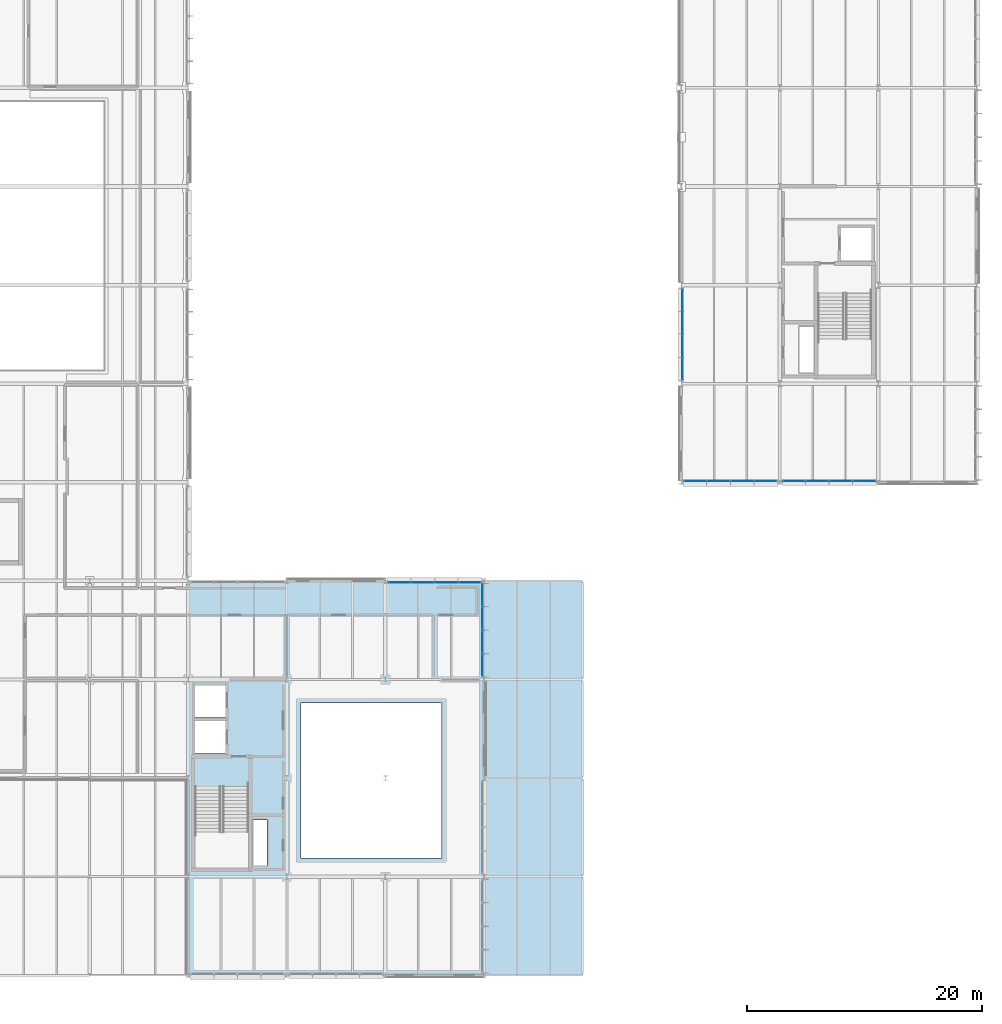
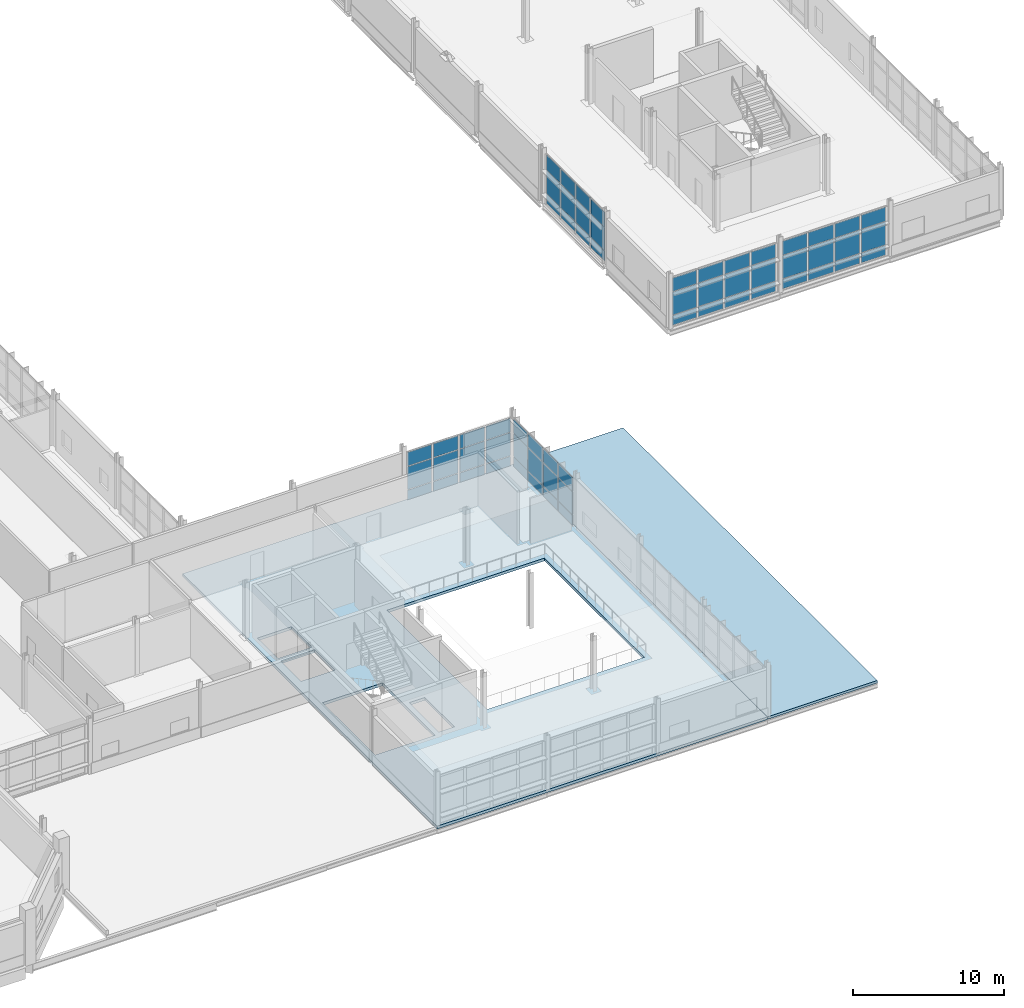
# One storey, part 89 of 129: 60 plates, 2 slabs, 5 elements without a shape of their own.
"""IFC4 building model written with IfcOpenShell, lengths in metres."""

from ifc_helpers import new_model, si_unit, direction, frame, origin, origin_2d, place, context, subcontext, project, spatial, polyline, rectangle, outline, extrude, material, layer, layer_set, type_object, element, aggregate, save


model = new_model("IFC4")

# Units and contexts
model_context = context("Model", 3, precision=1e-05, world=origin(), true_north=direction((0.0, 1.0)))
body_context = subcontext(model_context, "Body", "Model", "MODEL_VIEW")
ifc_project = project(units=[si_unit("LENGTHUNIT", "METRE"), si_unit("AREAUNIT", "SQUARE_METRE"), si_unit("VOLUMEUNIT", "CUBIC_METRE"), si_unit("PLANEANGLEUNIT", "RADIAN"), si_unit("MASSUNIT", "GRAM", prefix="KILO")], contexts=[model_context])

# Site, building, storey
site_placement = place(None, origin())
site = spatial("IfcSite", under=ifc_project, at=site_placement, CompositionType="ELEMENT")
building_placement = place(site_placement, origin())
building = spatial("IfcBuilding", under=site, at=building_placement, Name="Mersafa Astral City Hall", CompositionType="ELEMENT")
storey_placement = place(building_placement, frame((0.0, 0.0, 5.39990234375)))
storey = spatial("IfcBuildingStorey", under=building, at=storey_placement, Name="L01", CompositionType="ELEMENT", Elevation=5.39990234375)

# Curtain wall, plates
ifc_material_1 = material(Name="Anodised bronze aluminium framing", Category="aluminium")
curtain_wall_type_1 = type_object("IfcCurtainWallType", Name="ENV-CW-3", PredefinedType="USERDEFINED", material=ifc_material_1)
curtain_wall_1_placement = place(storey_placement, origin())
curtain_wall_1 = element("IfcCurtainWall", 1, at=curtain_wall_1_placement, inside=storey, type_object=curtain_wall_type_1, Name="L01 Unitised solar curtain wall 68", ObjectType="UNITISED CURTAIN WALL", PredefinedType="USERDEFINED")
ifc_material_2 = material(Name="Solar control low-e double glazing", Category="glass")
ifc_layer_1 = layer(ifc_material_2, 0.028076171875, Name="Solar control low-e double glazing")
ifc_layer_set_1 = layer_set([ifc_layer_1], Name="Solar control low-e double glazing — ENV-CW-PNL-GLZ-1")
plate_type_1 = type_object("IfcPlateType", Name="ENV-CW-PNL-GLZ-1", PredefinedType="CURTAIN_PANEL", material=ifc_layer_set_1)
plate_1_placement = place(storey_placement, frame((160.801513671875, 42.1201171875, 0.05810546875), z_axis=(0.0, 0.0, 1.0), x_axis=(1.0, 0.0, 0.0)))
plate_1 = element("IfcPlate", 2, at=plate_1_placement, type_object=plate_type_1, Name="CW-3 panel 1.1", PredefinedType="CURTAIN_PANEL", context=body_context, shape_type="SweptSolid", body=[
    extrude(rectangle(XDim=1.839111328125, YDim=0.028076171875, at=origin_2d()), origin(), (0.0, 0.0, 1.0), 0.761962890625),
])
plate_2_placement = place(storey_placement, frame((160.801513671875, 42.1201171875, 0.8798828125), z_axis=(0.0, 0.0, 1.0), x_axis=(1.0, 0.0, 0.0)))
plate_2 = element("IfcPlate", 3, at=plate_2_placement, type_object=plate_type_1, Name="CW-3 panel 1.2", PredefinedType="CURTAIN_PANEL", context=body_context, shape_type="SweptSolid", body=[
    extrude(rectangle(XDim=1.839111328125, YDim=0.028076171875, at=origin_2d()), origin(), (0.0, 0.0, 1.0), 1.840087890625),
])
plate_3_placement = place(storey_placement, frame((160.801513671875, 42.1201171875, 2.7802734375), z_axis=(0.0, 0.0, 1.0), x_axis=(1.0, 0.0, 0.0)))
plate_3 = element("IfcPlate", 4, at=plate_3_placement, type_object=plate_type_1, Name="CW-3 panel 1.3", PredefinedType="CURTAIN_PANEL", context=body_context, shape_type="SweptSolid", body=[
    extrude(rectangle(XDim=1.839111328125, YDim=0.028076171875, at=origin_2d()), origin(), (0.0, 0.0, 1.0), 1.096923828125),
])
plate_4_placement = place(storey_placement, frame((162.79052734375, 42.1201171875, 0.05810546875), z_axis=(0.0, 0.0, 1.0), x_axis=(1.0, 0.0, 0.0)))
plate_4 = element("IfcPlate", 5, at=plate_4_placement, type_object=plate_type_1, Name="CW-3 panel 2.1", PredefinedType="CURTAIN_PANEL", context=body_context, shape_type="SweptSolid", body=[
    extrude(rectangle(XDim=1.89892578125, YDim=0.028076171875, at=origin_2d()), origin(), (0.0, 0.0, 1.0), 0.761962890625),
])
plate_5_placement = place(storey_placement, frame((162.79052734375, 42.1201171875, 0.8798828125), z_axis=(0.0, 0.0, 1.0), x_axis=(1.0, 0.0, 0.0)))
plate_5 = element("IfcPlate", 6, at=plate_5_placement, type_object=plate_type_1, Name="CW-3 panel 2.2", PredefinedType="CURTAIN_PANEL", context=body_context, shape_type="SweptSolid", body=[
    extrude(rectangle(XDim=1.89892578125, YDim=0.028076171875, at=origin_2d()), origin(), (0.0, 0.0, 1.0), 1.840087890625),
])
plate_6_placement = place(storey_placement, frame((162.79052734375, 42.1201171875, 2.7802734375), z_axis=(0.0, 0.0, 1.0), x_axis=(1.0, 0.0, 0.0)))
plate_6 = element("IfcPlate", 7, at=plate_6_placement, type_object=plate_type_1, Name="CW-3 panel 2.3", PredefinedType="CURTAIN_PANEL", context=body_context, shape_type="SweptSolid", body=[
    extrude(rectangle(XDim=1.89892578125, YDim=0.028076171875, at=origin_2d()), origin(), (0.0, 0.0, 1.0), 1.096923828125),
])
plate_7_placement = place(storey_placement, frame((164.8095703125, 42.1201171875, 0.05810546875), z_axis=(0.0, 0.0, 1.0), x_axis=(1.0, 0.0, 0.0)))
plate_7 = element("IfcPlate", 8, at=plate_7_placement, type_object=plate_type_1, Name="CW-3 panel 3.1", PredefinedType="CURTAIN_PANEL", context=body_context, shape_type="SweptSolid", body=[
    extrude(rectangle(XDim=1.89892578125, YDim=0.028076171875, at=origin_2d()), origin(), (0.0, 0.0, 1.0), 0.761962890625),
])
plate_8_placement = place(storey_placement, frame((164.8095703125, 42.1201171875, 0.8798828125), z_axis=(0.0, 0.0, 1.0), x_axis=(1.0, 0.0, 0.0)))
plate_8 = element("IfcPlate", 9, at=plate_8_placement, type_object=plate_type_1, Name="CW-3 panel 3.2", PredefinedType="CURTAIN_PANEL", context=body_context, shape_type="SweptSolid", body=[
    extrude(rectangle(XDim=1.89892578125, YDim=0.028076171875, at=origin_2d()), origin(), (0.0, 0.0, 1.0), 1.840087890625),
])
plate_9_placement = place(storey_placement, frame((164.8095703125, 42.1201171875, 2.7802734375), z_axis=(0.0, 0.0, 1.0), x_axis=(1.0, 0.0, 0.0)))
plate_9 = element("IfcPlate", 10, at=plate_9_placement, type_object=plate_type_1, Name="CW-3 panel 3.3", PredefinedType="CURTAIN_PANEL", context=body_context, shape_type="SweptSolid", body=[
    extrude(rectangle(XDim=1.89892578125, YDim=0.028076171875, at=origin_2d()), origin(), (0.0, 0.0, 1.0), 1.096923828125),
])
plate_10_placement = place(storey_placement, frame((166.798583984375, 42.1201171875, 0.05810546875), z_axis=(0.0, 0.0, 1.0), x_axis=(1.0, 0.0, 0.0)))
plate_10 = element("IfcPlate", 11, at=plate_10_placement, type_object=plate_type_1, Name="CW-3 panel 4.1", PredefinedType="CURTAIN_PANEL", context=body_context, shape_type="SweptSolid", body=[
    extrude(rectangle(XDim=1.839111328125, YDim=0.028076171875, at=origin_2d()), origin(), (0.0, 0.0, 1.0), 0.761962890625),
])
plate_11_placement = place(storey_placement, frame((166.798583984375, 42.1201171875, 0.8798828125), z_axis=(0.0, 0.0, 1.0), x_axis=(1.0, 0.0, 0.0)))
plate_11 = element("IfcPlate", 12, at=plate_11_placement, type_object=plate_type_1, Name="CW-3 panel 4.2", PredefinedType="CURTAIN_PANEL", context=body_context, shape_type="SweptSolid", body=[
    extrude(rectangle(XDim=1.839111328125, YDim=0.028076171875, at=origin_2d()), origin(), (0.0, 0.0, 1.0), 1.840087890625),
])
plate_12_placement = place(storey_placement, frame((166.798583984375, 42.1201171875, 2.7802734375), z_axis=(0.0, 0.0, 1.0), x_axis=(1.0, 0.0, 0.0)))
plate_12 = element("IfcPlate", 13, at=plate_12_placement, type_object=plate_type_1, Name="CW-3 panel 4.3", PredefinedType="CURTAIN_PANEL", context=body_context, shape_type="SweptSolid", body=[
    extrude(rectangle(XDim=1.839111328125, YDim=0.028076171875, at=origin_2d()), origin(), (0.0, 0.0, 1.0), 1.096923828125),
])
aggregate(curtain_wall_1, [plate_1, plate_2, plate_3, plate_4, plate_5, plate_6, plate_7, plate_8, plate_9, plate_10, plate_11, plate_12])

curtain_wall_type_2 = type_object("IfcCurtainWallType", Name="ENV-CW-4", PredefinedType="USERDEFINED", material=ifc_material_1)
curtain_wall_2_placement = place(storey_placement, origin())
curtain_wall_2 = element("IfcCurtainWall", 14, at=curtain_wall_2_placement, inside=storey, type_object=curtain_wall_type_2, Name="L01 Unitised solar curtain wall 69", ObjectType="UNITISED CURTAIN WALL", PredefinedType="USERDEFINED")
ifc_layer_2 = layer(ifc_material_2, 0.031982421875, Name="Solar control low-e double glazing")
ifc_layer_set_2 = layer_set([ifc_layer_2], Name="Solar control low-e double glazing — ENV-CW-PNL-GLZ-2")
plate_type_2 = type_object("IfcPlateType", Name="ENV-CW-PNL-GLZ-2", PredefinedType="CURTAIN_PANEL", material=ifc_layer_set_2)
plate_13_placement = place(storey_placement, frame((169.201416015625, 42.1201171875, 0.05810546875), z_axis=(0.0, 0.0, 1.0), x_axis=(1.0, 0.0, 0.0)))
plate_13 = element("IfcPlate", 15, at=plate_13_placement, type_object=plate_type_2, Name="CW-4 panel 1.1", PredefinedType="CURTAIN_PANEL", context=body_context, shape_type="SweptSolid", body=[
    extrude(rectangle(XDim=1.839111328125, YDim=0.031982421875, at=origin_2d()), origin(), (0.0, 0.0, 1.0), 0.761962890625),
])
plate_14_placement = place(storey_placement, frame((169.201416015625, 42.1201171875, 0.8798828125), z_axis=(0.0, 0.0, 1.0), x_axis=(1.0, 0.0, 0.0)))
plate_14 = element("IfcPlate", 16, at=plate_14_placement, type_object=plate_type_2, Name="CW-4 panel 1.2", PredefinedType="CURTAIN_PANEL", context=body_context, shape_type="SweptSolid", body=[
    extrude(rectangle(XDim=1.839111328125, YDim=0.031982421875, at=origin_2d()), origin(), (0.0, 0.0, 1.0), 1.840087890625),
])
plate_15_placement = place(storey_placement, frame((169.201416015625, 42.1201171875, 2.780029296875), z_axis=(0.0, 0.0, 1.0), x_axis=(1.0, 0.0, 0.0)))
plate_15 = element("IfcPlate", 17, at=plate_15_placement, type_object=plate_type_2, Name="CW-4 panel 1.3", PredefinedType="CURTAIN_PANEL", context=body_context, shape_type="SweptSolid", body=[
    extrude(rectangle(XDim=1.839111328125, YDim=0.031982421875, at=origin_2d()), origin(), (0.0, 0.0, 1.0), 1.126953125),
])
plate_16_placement = place(storey_placement, frame((171.1904296875, 42.1201171875, 0.05810546875), z_axis=(0.0, 0.0, 1.0), x_axis=(1.0, 0.0, 0.0)))
plate_16 = element("IfcPlate", 18, at=plate_16_placement, type_object=plate_type_2, Name="CW-4 panel 2.1", PredefinedType="CURTAIN_PANEL", context=body_context, shape_type="SweptSolid", body=[
    extrude(rectangle(XDim=1.89892578125, YDim=0.031982421875, at=origin_2d()), origin(), (0.0, 0.0, 1.0), 0.761962890625),
])
plate_17_placement = place(storey_placement, frame((171.1904296875, 42.1201171875, 0.8798828125), z_axis=(0.0, 0.0, 1.0), x_axis=(1.0, 0.0, 0.0)))
plate_17 = element("IfcPlate", 19, at=plate_17_placement, type_object=plate_type_2, Name="CW-4 panel 2.2", PredefinedType="CURTAIN_PANEL", context=body_context, shape_type="SweptSolid", body=[
    extrude(rectangle(XDim=1.89892578125, YDim=0.031982421875, at=origin_2d()), origin(), (0.0, 0.0, 1.0), 1.840087890625),
])
plate_18_placement = place(storey_placement, frame((171.1904296875, 42.1201171875, 2.780029296875), z_axis=(0.0, 0.0, 1.0), x_axis=(1.0, 0.0, 0.0)))
plate_18 = element("IfcPlate", 20, at=plate_18_placement, type_object=plate_type_2, Name="CW-4 panel 2.3", PredefinedType="CURTAIN_PANEL", context=body_context, shape_type="SweptSolid", body=[
    extrude(rectangle(XDim=1.89892578125, YDim=0.031982421875, at=origin_2d()), origin(), (0.0, 0.0, 1.0), 1.126953125),
])
plate_19_placement = place(storey_placement, frame((173.20947265625, 42.1201171875, 0.05810546875), z_axis=(0.0, 0.0, 1.0), x_axis=(1.0, 0.0, 0.0)))
plate_19 = element("IfcPlate", 21, at=plate_19_placement, type_object=plate_type_2, Name="CW-4 panel 3.1", PredefinedType="CURTAIN_PANEL", context=body_context, shape_type="SweptSolid", body=[
    extrude(rectangle(XDim=1.89892578125, YDim=0.031982421875, at=origin_2d()), origin(), (0.0, 0.0, 1.0), 0.761962890625),
])
plate_20_placement = place(storey_placement, frame((173.20947265625, 42.1201171875, 0.8798828125), z_axis=(0.0, 0.0, 1.0), x_axis=(1.0, 0.0, 0.0)))
plate_20 = element("IfcPlate", 22, at=plate_20_placement, type_object=plate_type_2, Name="CW-4 panel 3.2", PredefinedType="CURTAIN_PANEL", context=body_context, shape_type="SweptSolid", body=[
    extrude(rectangle(XDim=1.89892578125, YDim=0.031982421875, at=origin_2d()), origin(), (0.0, 0.0, 1.0), 1.840087890625),
])
plate_21_placement = place(storey_placement, frame((173.20947265625, 42.1201171875, 2.780029296875), z_axis=(0.0, 0.0, 1.0), x_axis=(1.0, 0.0, 0.0)))
plate_21 = element("IfcPlate", 23, at=plate_21_placement, type_object=plate_type_2, Name="CW-4 panel 3.3", PredefinedType="CURTAIN_PANEL", context=body_context, shape_type="SweptSolid", body=[
    extrude(rectangle(XDim=1.89892578125, YDim=0.031982421875, at=origin_2d()), origin(), (0.0, 0.0, 1.0), 1.126953125),
])
plate_22_placement = place(storey_placement, frame((175.198486328125, 42.1201171875, 0.05810546875), z_axis=(0.0, 0.0, 1.0), x_axis=(1.0, 0.0, 0.0)))
plate_22 = element("IfcPlate", 24, at=plate_22_placement, type_object=plate_type_2, Name="CW-4 panel 4.1", PredefinedType="CURTAIN_PANEL", context=body_context, shape_type="SweptSolid", body=[
    extrude(rectangle(XDim=1.839111328125, YDim=0.031982421875, at=origin_2d()), origin(), (0.0, 0.0, 1.0), 0.761962890625),
])
plate_23_placement = place(storey_placement, frame((175.198486328125, 42.1201171875, 0.8798828125), z_axis=(0.0, 0.0, 1.0), x_axis=(1.0, 0.0, 0.0)))
plate_23 = element("IfcPlate", 25, at=plate_23_placement, type_object=plate_type_2, Name="CW-4 panel 4.2", PredefinedType="CURTAIN_PANEL", context=body_context, shape_type="SweptSolid", body=[
    extrude(rectangle(XDim=1.839111328125, YDim=0.031982421875, at=origin_2d()), origin(), (0.0, 0.0, 1.0), 1.840087890625),
])
plate_24_placement = place(storey_placement, frame((175.198486328125, 42.1201171875, 2.780029296875), z_axis=(0.0, 0.0, 1.0), x_axis=(1.0, 0.0, 0.0)))
plate_24 = element("IfcPlate", 26, at=plate_24_placement, type_object=plate_type_2, Name="CW-4 panel 4.3", PredefinedType="CURTAIN_PANEL", context=body_context, shape_type="SweptSolid", body=[
    extrude(rectangle(XDim=1.839111328125, YDim=0.031982421875, at=origin_2d()), origin(), (0.0, 0.0, 1.0), 1.126953125),
])
aggregate(curtain_wall_2, [plate_13, plate_14, plate_15, plate_16, plate_17, plate_18, plate_19, plate_20, plate_21, plate_22, plate_23, plate_24])

curtain_wall_3_placement = place(storey_placement, origin())
curtain_wall_3 = element("IfcCurtainWall", 27, at=curtain_wall_3_placement, inside=storey, type_object=curtain_wall_type_1, Name="L01 Unitised solar curtain wall 50", ObjectType="UNITISED CURTAIN WALL", PredefinedType="USERDEFINED")
ifc_layer_3 = layer(ifc_material_2, 0.035888671875, Name="Solar control low-e double glazing")
ifc_layer_set_3 = layer_set([ifc_layer_3], Name="Solar control low-e double glazing — ENV-CW-PNL-GLZ-3")
plate_type_3 = type_object("IfcPlateType", Name="ENV-CW-PNL-GLZ-3", PredefinedType="CURTAIN_PANEL", material=ifc_layer_set_3)
plate_25_placement = place(storey_placement, frame((142.679931640625, 26.42529296875, 0.05810546875), z_axis=(0.0, 0.0, 1.0), x_axis=(0.0, 1.0, 0.0)))
plate_25 = element("IfcPlate", 28, at=plate_25_placement, type_object=plate_type_3, Name="CW-3 panel 1.1", PredefinedType="CURTAIN_PANEL", context=body_context, shape_type="SweptSolid", body=[
    extrude(rectangle(XDim=1.826416015625, YDim=0.035888671875, at=origin_2d()), origin(), (0.0, 0.0, 1.0), 0.761962890625),
])
plate_26_placement = place(storey_placement, frame((142.679931640625, 26.42529296875, 0.8798828125), z_axis=(0.0, 0.0, 1.0), x_axis=(0.0, 1.0, 0.0)))
plate_26 = element("IfcPlate", 29, at=plate_26_placement, type_object=plate_type_3, Name="CW-3 panel 1.2", PredefinedType="CURTAIN_PANEL", context=body_context, shape_type="SweptSolid", body=[
    extrude(rectangle(XDim=1.826416015625, YDim=0.035888671875, at=origin_2d()), origin(), (0.0, 0.0, 1.0), 1.840087890625),
])
plate_27_placement = place(storey_placement, frame((142.679931640625, 26.42529296875, 2.7802734375), z_axis=(0.0, 0.0, 1.0), x_axis=(0.0, 1.0, 0.0)))
plate_27 = element("IfcPlate", 30, at=plate_27_placement, type_object=plate_type_3, Name="CW-3 panel 1.3", PredefinedType="CURTAIN_PANEL", context=body_context, shape_type="SweptSolid", body=[
    extrude(rectangle(XDim=1.826416015625, YDim=0.035888671875, at=origin_2d()), origin(), (0.0, 0.0, 1.0), 1.096923828125),
])
plate_28_placement = place(storey_placement, frame((142.679931640625, 28.40185546875, 0.05810546875), z_axis=(0.0, 0.0, 1.0), x_axis=(0.0, 1.0, 0.0)))
plate_28 = element("IfcPlate", 31, at=plate_28_placement, type_object=plate_type_3, Name="CW-3 panel 2.1", PredefinedType="CURTAIN_PANEL", context=body_context, shape_type="SweptSolid", body=[
    extrude(rectangle(XDim=1.886474609375, YDim=0.035888671875, at=origin_2d()), origin(), (0.0, 0.0, 1.0), 0.761962890625),
])
plate_29_placement = place(storey_placement, frame((142.679931640625, 28.40185546875, 0.8798828125), z_axis=(0.0, 0.0, 1.0), x_axis=(0.0, 1.0, 0.0)))
plate_29 = element("IfcPlate", 32, at=plate_29_placement, type_object=plate_type_3, Name="CW-3 panel 2.2", PredefinedType="CURTAIN_PANEL", context=body_context, shape_type="SweptSolid", body=[
    extrude(rectangle(XDim=1.886474609375, YDim=0.035888671875, at=origin_2d()), origin(), (0.0, 0.0, 1.0), 1.840087890625),
])
plate_30_placement = place(storey_placement, frame((142.679931640625, 28.40185546875, 2.7802734375), z_axis=(0.0, 0.0, 1.0), x_axis=(0.0, 1.0, 0.0)))
plate_30 = element("IfcPlate", 33, at=plate_30_placement, type_object=plate_type_3, Name="CW-3 panel 2.3", PredefinedType="CURTAIN_PANEL", context=body_context, shape_type="SweptSolid", body=[
    extrude(rectangle(XDim=1.886474609375, YDim=0.035888671875, at=origin_2d()), origin(), (0.0, 0.0, 1.0), 1.096923828125),
])
plate_31_placement = place(storey_placement, frame((142.679931640625, 30.408203125, 0.05810546875), z_axis=(0.0, 0.0, 1.0), x_axis=(0.0, 1.0, 0.0)))
plate_31 = element("IfcPlate", 34, at=plate_31_placement, type_object=plate_type_3, Name="CW-3 panel 3.1", PredefinedType="CURTAIN_PANEL", context=body_context, shape_type="SweptSolid", body=[
    extrude(rectangle(XDim=1.886474609375, YDim=0.035888671875, at=origin_2d()), origin(), (0.0, 0.0, 1.0), 0.761962890625),
])
plate_32_placement = place(storey_placement, frame((142.679931640625, 30.408203125, 0.8798828125), z_axis=(0.0, 0.0, 1.0), x_axis=(0.0, 1.0, 0.0)))
plate_32 = element("IfcPlate", 35, at=plate_32_placement, type_object=plate_type_3, Name="CW-3 panel 3.2", PredefinedType="CURTAIN_PANEL", context=body_context, shape_type="SweptSolid", body=[
    extrude(rectangle(XDim=1.886474609375, YDim=0.035888671875, at=origin_2d()), origin(), (0.0, 0.0, 1.0), 1.840087890625),
])
plate_33_placement = place(storey_placement, frame((142.679931640625, 30.408203125, 2.7802734375), z_axis=(0.0, 0.0, 1.0), x_axis=(0.0, 1.0, 0.0)))
plate_33 = element("IfcPlate", 36, at=plate_33_placement, type_object=plate_type_3, Name="CW-3 panel 3.3", PredefinedType="CURTAIN_PANEL", context=body_context, shape_type="SweptSolid", body=[
    extrude(rectangle(XDim=1.886474609375, YDim=0.035888671875, at=origin_2d()), origin(), (0.0, 0.0, 1.0), 1.096923828125),
])
plate_34_placement = place(storey_placement, frame((142.679931640625, 32.384765625, 0.05810546875), z_axis=(0.0, 0.0, 1.0), x_axis=(0.0, 1.0, 0.0)))
plate_34 = element("IfcPlate", 37, at=plate_34_placement, type_object=plate_type_3, Name="CW-3 panel 4.1", PredefinedType="CURTAIN_PANEL", context=body_context, shape_type="SweptSolid", body=[
    extrude(rectangle(XDim=1.826416015625, YDim=0.035888671875, at=origin_2d()), origin(), (0.0, 0.0, 1.0), 0.761962890625),
])
plate_35_placement = place(storey_placement, frame((142.679931640625, 32.384765625, 0.8798828125), z_axis=(0.0, 0.0, 1.0), x_axis=(0.0, 1.0, 0.0)))
plate_35 = element("IfcPlate", 38, at=plate_35_placement, type_object=plate_type_3, Name="CW-3 panel 4.2", PredefinedType="CURTAIN_PANEL", context=body_context, shape_type="SweptSolid", body=[
    extrude(rectangle(XDim=1.826416015625, YDim=0.035888671875, at=origin_2d()), origin(), (0.0, 0.0, 1.0), 1.840087890625),
])
plate_36_placement = place(storey_placement, frame((142.679931640625, 32.384765625, 2.7802734375), z_axis=(0.0, 0.0, 1.0), x_axis=(0.0, 1.0, 0.0)))
plate_36 = element("IfcPlate", 39, at=plate_36_placement, type_object=plate_type_3, Name="CW-3 panel 4.3", PredefinedType="CURTAIN_PANEL", context=body_context, shape_type="SweptSolid", body=[
    extrude(rectangle(XDim=1.826416015625, YDim=0.035888671875, at=origin_2d()), origin(), (0.0, 0.0, 1.0), 1.096923828125),
])
aggregate(curtain_wall_3, [plate_25, plate_26, plate_27, plate_28, plate_29, plate_30, plate_31, plate_32, plate_33, plate_34, plate_35, plate_36])

curtain_wall_4_placement = place(storey_placement, origin())
curtain_wall_4 = element("IfcCurtainWall", 40, at=curtain_wall_4_placement, inside=storey, type_object=curtain_wall_type_2, Name="L01 Unitised solar curtain wall 51", ObjectType="UNITISED CURTAIN WALL", PredefinedType="USERDEFINED")
ifc_layer_4 = layer(ifc_material_2, 0.0400390625, Name="Solar control low-e double glazing")
ifc_layer_set_4 = layer_set([ifc_layer_4], Name="Solar control low-e double glazing — ENV-CW-PNL-GLZ-4")
plate_type_4 = type_object("IfcPlateType", Name="ENV-CW-PNL-GLZ-4", PredefinedType="CURTAIN_PANEL", material=ifc_layer_set_4)
plate_37_placement = place(storey_placement, frame((141.598388671875, 33.47998046875, 0.05810546875), z_axis=(0.0, 0.0, 1.0), x_axis=(-1.0, 0.0, 0.0)))
plate_37 = element("IfcPlate", 41, at=plate_37_placement, type_object=plate_type_4, Name="CW-4 panel 1.1", PredefinedType="CURTAIN_PANEL", context=body_context, shape_type="SweptSolid", body=[
    extrude(rectangle(XDim=1.839111328125, YDim=0.0400390625, at=origin_2d()), origin(), (0.0, 0.0, 1.0), 0.761962890625),
])
plate_38_placement = place(storey_placement, frame((141.598388671875, 33.47998046875, 0.8798828125), z_axis=(0.0, 0.0, 1.0), x_axis=(-1.0, 0.0, 0.0)))
plate_38 = element("IfcPlate", 42, at=plate_38_placement, type_object=plate_type_4, Name="CW-4 panel 1.2", PredefinedType="CURTAIN_PANEL", context=body_context, shape_type="SweptSolid", body=[
    extrude(rectangle(XDim=1.839111328125, YDim=0.0400390625, at=origin_2d()), origin(), (0.0, 0.0, 1.0), 1.840087890625),
])
plate_39_placement = place(storey_placement, frame((141.598388671875, 33.47998046875, 2.7802734375), z_axis=(0.0, 0.0, 1.0), x_axis=(-1.0, 0.0, 0.0)))
plate_39 = element("IfcPlate", 43, at=plate_39_placement, type_object=plate_type_4, Name="CW-4 panel 1.3", PredefinedType="CURTAIN_PANEL", context=body_context, shape_type="SweptSolid", body=[
    extrude(rectangle(XDim=1.839111328125, YDim=0.0400390625, at=origin_2d()), origin(), (0.0, 0.0, 1.0), 1.096923828125),
])
plate_40_placement = place(storey_placement, frame((139.609619140625, 33.47998046875, 0.05810546875), z_axis=(0.0, 0.0, 1.0), x_axis=(-1.0, 0.0, 0.0)))
plate_40 = element("IfcPlate", 44, at=plate_40_placement, type_object=plate_type_4, Name="CW-4 panel 2.1", PredefinedType="CURTAIN_PANEL", context=body_context, shape_type="SweptSolid", body=[
    extrude(rectangle(XDim=1.89892578125, YDim=0.0400390625, at=origin_2d()), origin(), (0.0, 0.0, 1.0), 0.761962890625),
])
plate_41_placement = place(storey_placement, frame((139.609619140625, 33.47998046875, 0.8798828125), z_axis=(0.0, 0.0, 1.0), x_axis=(-1.0, 0.0, 0.0)))
plate_41 = element("IfcPlate", 45, at=plate_41_placement, type_object=plate_type_4, Name="CW-4 panel 2.2", PredefinedType="CURTAIN_PANEL", context=body_context, shape_type="SweptSolid", body=[
    extrude(rectangle(XDim=1.89892578125, YDim=0.0400390625, at=origin_2d()), origin(), (0.0, 0.0, 1.0), 1.840087890625),
])
plate_42_placement = place(storey_placement, frame((139.609619140625, 33.47998046875, 2.7802734375), z_axis=(0.0, 0.0, 1.0), x_axis=(-1.0, 0.0, 0.0)))
plate_42 = element("IfcPlate", 46, at=plate_42_placement, type_object=plate_type_4, Name="CW-4 panel 2.3", PredefinedType="CURTAIN_PANEL", context=body_context, shape_type="SweptSolid", body=[
    extrude(rectangle(XDim=1.89892578125, YDim=0.0400390625, at=origin_2d()), origin(), (0.0, 0.0, 1.0), 1.096923828125),
])
plate_43_placement = place(storey_placement, frame((137.590576171875, 33.47998046875, 0.05810546875), z_axis=(0.0, 0.0, 1.0), x_axis=(-1.0, 0.0, 0.0)))
plate_43 = element("IfcPlate", 47, at=plate_43_placement, type_object=plate_type_4, Name="CW-4 panel 3.1", PredefinedType="CURTAIN_PANEL", context=body_context, shape_type="SweptSolid", body=[
    extrude(rectangle(XDim=1.89892578125, YDim=0.0400390625, at=origin_2d()), origin(), (0.0, 0.0, 1.0), 0.761962890625),
])
plate_44_placement = place(storey_placement, frame((137.590576171875, 33.47998046875, 0.8798828125), z_axis=(0.0, 0.0, 1.0), x_axis=(-1.0, 0.0, 0.0)))
plate_44 = element("IfcPlate", 48, at=plate_44_placement, type_object=plate_type_4, Name="CW-4 panel 3.2", PredefinedType="CURTAIN_PANEL", context=body_context, shape_type="SweptSolid", body=[
    extrude(rectangle(XDim=1.89892578125, YDim=0.0400390625, at=origin_2d()), origin(), (0.0, 0.0, 1.0), 1.840087890625),
])
plate_45_placement = place(storey_placement, frame((137.590576171875, 33.47998046875, 2.7802734375), z_axis=(0.0, 0.0, 1.0), x_axis=(-1.0, 0.0, 0.0)))
plate_45 = element("IfcPlate", 49, at=plate_45_placement, type_object=plate_type_4, Name="CW-4 panel 3.3", PredefinedType="CURTAIN_PANEL", context=body_context, shape_type="SweptSolid", body=[
    extrude(rectangle(XDim=1.89892578125, YDim=0.0400390625, at=origin_2d()), origin(), (0.0, 0.0, 1.0), 1.096923828125),
])
plate_46_placement = place(storey_placement, frame((135.6015625, 33.47998046875, 0.05810546875), z_axis=(0.0, 0.0, 1.0), x_axis=(-1.0, 0.0, 0.0)))
plate_46 = element("IfcPlate", 50, at=plate_46_placement, type_object=plate_type_4, Name="CW-4 panel 4.1", PredefinedType="CURTAIN_PANEL", context=body_context, shape_type="SweptSolid", body=[
    extrude(rectangle(XDim=1.839111328125, YDim=0.0400390625, at=origin_2d()), origin(), (0.0, 0.0, 1.0), 0.761962890625),
])
plate_47_placement = place(storey_placement, frame((135.6015625, 33.47998046875, 0.8798828125), z_axis=(0.0, 0.0, 1.0), x_axis=(-1.0, 0.0, 0.0)))
plate_47 = element("IfcPlate", 51, at=plate_47_placement, type_object=plate_type_4, Name="CW-4 panel 4.2", PredefinedType="CURTAIN_PANEL", context=body_context, shape_type="SweptSolid", body=[
    extrude(rectangle(XDim=1.839111328125, YDim=0.0400390625, at=origin_2d()), origin(), (0.0, 0.0, 1.0), 1.840087890625),
])
plate_48_placement = place(storey_placement, frame((135.6015625, 33.47998046875, 2.7802734375), z_axis=(0.0, 0.0, 1.0), x_axis=(-1.0, 0.0, 0.0)))
plate_48 = element("IfcPlate", 52, at=plate_48_placement, type_object=plate_type_4, Name="CW-4 panel 4.3", PredefinedType="CURTAIN_PANEL", context=body_context, shape_type="SweptSolid", body=[
    extrude(rectangle(XDim=1.839111328125, YDim=0.0400390625, at=origin_2d()), origin(), (0.0, 0.0, 1.0), 1.096923828125),
])
aggregate(curtain_wall_4, [plate_37, plate_38, plate_39, plate_40, plate_41, plate_42, plate_43, plate_44, plate_45, plate_46, plate_47, plate_48])

curtain_wall_type_3 = type_object("IfcCurtainWallType", Name="ENV-CW-2", PredefinedType="USERDEFINED", material=ifc_material_1)
curtain_wall_5_placement = place(storey_placement, origin())
curtain_wall_5 = element("IfcCurtainWall", 53, at=curtain_wall_5_placement, inside=storey, type_object=curtain_wall_type_3, Name="L01 Unitised solar curtain wall 67", ObjectType="UNITISED CURTAIN WALL", PredefinedType="USERDEFINED")
plate_49_placement = place(storey_placement, frame((159.719970703125, 57.5234375, 0.05810546875), z_axis=(0.0, 0.0, 1.0), x_axis=(0.0, -1.0, 0.0)))
plate_49 = element("IfcPlate", 54, at=plate_49_placement, type_object=plate_type_4, Name="CW-2 panel 1.1", PredefinedType="CURTAIN_PANEL", context=body_context, shape_type="SweptSolid", body=[
    extrude(rectangle(XDim=1.7890625, YDim=0.0400390625, at=origin_2d()), origin(), (0.0, 0.0, 1.0), 0.761962890625),
])
plate_50_placement = place(storey_placement, frame((159.719970703125, 57.5234375, 0.8798828125), z_axis=(0.0, 0.0, 1.0), x_axis=(0.0, -1.0, 0.0)))
plate_50 = element("IfcPlate", 55, at=plate_50_placement, type_object=plate_type_4, Name="CW-2 panel 1.2", PredefinedType="CURTAIN_PANEL", context=body_context, shape_type="SweptSolid", body=[
    extrude(rectangle(XDim=1.7890625, YDim=0.0400390625, at=origin_2d()), origin(), (0.0, 0.0, 1.0), 1.840087890625),
])
plate_51_placement = place(storey_placement, frame((159.719970703125, 57.5234375, 2.780029296875), z_axis=(0.0, 0.0, 1.0), x_axis=(0.0, -1.0, 0.0)))
plate_51 = element("IfcPlate", 56, at=plate_51_placement, type_object=plate_type_4, Name="CW-2 panel 1.3", PredefinedType="CURTAIN_PANEL", context=body_context, shape_type="SweptSolid", body=[
    extrude(rectangle(XDim=1.7890625, YDim=0.0400390625, at=origin_2d()), origin(), (0.0, 0.0, 1.0), 1.18701171875),
])
plate_52_placement = place(storey_placement, frame((159.719970703125, 55.58447265625, 0.05810546875), z_axis=(0.0, 0.0, 1.0), x_axis=(0.0, -1.0, 0.0)))
plate_52 = element("IfcPlate", 57, at=plate_52_placement, type_object=plate_type_4, Name="CW-2 panel 2.1", PredefinedType="CURTAIN_PANEL", context=body_context, shape_type="SweptSolid", body=[
    extrude(rectangle(XDim=1.84912109375, YDim=0.0400390625, at=origin_2d()), origin(), (0.0, 0.0, 1.0), 0.761962890625),
])
plate_53_placement = place(storey_placement, frame((159.719970703125, 55.58447265625, 0.8798828125), z_axis=(0.0, 0.0, 1.0), x_axis=(0.0, -1.0, 0.0)))
plate_53 = element("IfcPlate", 58, at=plate_53_placement, type_object=plate_type_4, Name="CW-2 panel 2.2", PredefinedType="CURTAIN_PANEL", context=body_context, shape_type="SweptSolid", body=[
    extrude(rectangle(XDim=1.84912109375, YDim=0.0400390625, at=origin_2d()), origin(), (0.0, 0.0, 1.0), 1.840087890625),
])
plate_54_placement = place(storey_placement, frame((159.719970703125, 55.58447265625, 2.780029296875), z_axis=(0.0, 0.0, 1.0), x_axis=(0.0, -1.0, 0.0)))
plate_54 = element("IfcPlate", 59, at=plate_54_placement, type_object=plate_type_4, Name="CW-2 panel 2.3", PredefinedType="CURTAIN_PANEL", context=body_context, shape_type="SweptSolid", body=[
    extrude(rectangle(XDim=1.84912109375, YDim=0.0400390625, at=origin_2d()), origin(), (0.0, 0.0, 1.0), 1.18701171875),
])
plate_55_placement = place(storey_placement, frame((159.719970703125, 53.615478515625, 0.05810546875), z_axis=(0.0, 0.0, 1.0), x_axis=(0.0, -1.0, 0.0)))
plate_55 = element("IfcPlate", 60, at=plate_55_placement, type_object=plate_type_4, Name="CW-2 panel 3.1", PredefinedType="CURTAIN_PANEL", context=body_context, shape_type="SweptSolid", body=[
    extrude(rectangle(XDim=1.84912109375, YDim=0.0400390625, at=origin_2d()), origin(), (0.0, 0.0, 1.0), 0.761962890625),
])
plate_56_placement = place(storey_placement, frame((159.719970703125, 53.615478515625, 0.8798828125), z_axis=(0.0, 0.0, 1.0), x_axis=(0.0, -1.0, 0.0)))
plate_56 = element("IfcPlate", 61, at=plate_56_placement, type_object=plate_type_4, Name="CW-2 panel 3.2", PredefinedType="CURTAIN_PANEL", context=body_context, shape_type="SweptSolid", body=[
    extrude(rectangle(XDim=1.84912109375, YDim=0.0400390625, at=origin_2d()), origin(), (0.0, 0.0, 1.0), 1.840087890625),
])
plate_57_placement = place(storey_placement, frame((159.719970703125, 53.615478515625, 2.780029296875), z_axis=(0.0, 0.0, 1.0), x_axis=(0.0, -1.0, 0.0)))
plate_57 = element("IfcPlate", 62, at=plate_57_placement, type_object=plate_type_4, Name="CW-2 panel 3.3", PredefinedType="CURTAIN_PANEL", context=body_context, shape_type="SweptSolid", body=[
    extrude(rectangle(XDim=1.84912109375, YDim=0.0400390625, at=origin_2d()), origin(), (0.0, 0.0, 1.0), 1.18701171875),
])
plate_58_placement = place(storey_placement, frame((159.719970703125, 51.676513671875, 0.05810546875), z_axis=(0.0, 0.0, 1.0), x_axis=(0.0, -1.0, 0.0)))
plate_58 = element("IfcPlate", 63, at=plate_58_placement, type_object=plate_type_4, Name="CW-2 panel 4.1", PredefinedType="CURTAIN_PANEL", context=body_context, shape_type="SweptSolid", body=[
    extrude(rectangle(XDim=1.7890625, YDim=0.0400390625, at=origin_2d()), origin(), (0.0, 0.0, 1.0), 0.761962890625),
])
plate_59_placement = place(storey_placement, frame((159.719970703125, 51.676513671875, 0.8798828125), z_axis=(0.0, 0.0, 1.0), x_axis=(0.0, -1.0, 0.0)))
plate_59 = element("IfcPlate", 64, at=plate_59_placement, type_object=plate_type_4, Name="CW-2 panel 4.2", PredefinedType="CURTAIN_PANEL", context=body_context, shape_type="SweptSolid", body=[
    extrude(rectangle(XDim=1.7890625, YDim=0.0400390625, at=origin_2d()), origin(), (0.0, 0.0, 1.0), 1.840087890625),
])
plate_60_placement = place(storey_placement, frame((159.719970703125, 51.676513671875, 2.780029296875), z_axis=(0.0, 0.0, 1.0), x_axis=(0.0, -1.0, 0.0)))
plate_60 = element("IfcPlate", 65, at=plate_60_placement, type_object=plate_type_4, Name="CW-2 panel 4.3", PredefinedType="CURTAIN_PANEL", context=body_context, shape_type="SweptSolid", body=[
    extrude(rectangle(XDim=1.7890625, YDim=0.0400390625, at=origin_2d()), origin(), (0.0, 0.0, 1.0), 1.18701171875),
])
aggregate(curtain_wall_5, [plate_49, plate_50, plate_51, plate_52, plate_53, plate_54, plate_55, plate_56, plate_57, plate_58, plate_59, plate_60])

# Slabs
ifc_material_3 = material(Name="Concrete C35/45", Category="concrete")
ifc_layer_5 = layer(ifc_material_3, 0.22509765625, Name="Concrete C35/45")
ifc_layer_set_5 = layer_set([ifc_layer_5], Name="Concrete C35/45 — STR-SLAB-FLR-225")
slab_type_1 = type_object("IfcSlabType", Name="STR-SLAB-FLR-225", PredefinedType="FLOOR", material=ifc_layer_set_5)
slab_1_placement = place(storey_placement, frame((0.0, 0.0, -0.224853515625)))
element("IfcSlab", 66, at=slab_1_placement, inside=storey, type_object=slab_type_1, Name="L01 V3 structural floor slab 1", PredefinedType="FLOOR", context=body_context, shape_type="SweptSolid", body=[
    extrude(outline(polyline([(117.60009765625, 25.199951171875), (117.60009765625, 33.60009765625), (126.0, 33.60009765625), (134.39990234375, 33.60009765625), (142.800048828125, 33.60009765625), (142.800048828125, 25.199951171875), (142.800048828125, 16.800048828125), (142.800048828125, 8.39990234375), (142.800048828125, 0.0), (134.39990234375, 0.0), (126.0, 0.0), (117.60009765625, 0.0), (117.60009765625, 8.39990234375), (117.60009765625, 16.800048828125), (117.60009765625, 25.199951171875)]), holes=[polyline([(118.179931640625, 9.14990234375), (122.739990234375, 9.14990234375), (122.739990234375, 16.10009765625), (118.179931640625, 16.10009765625), (118.179931640625, 9.14990234375)]), polyline([(120.780029296875, 18.949951171875), (120.780029296875, 21.64990234375), (118.179931640625, 21.64990234375), (118.179931640625, 18.949951171875), (120.780029296875, 18.949951171875)]), polyline([(120.780029296875, 22.0), (120.780029296875, 24.699951171875), (118.179931640625, 24.699951171875), (118.179931640625, 22.0), (120.780029296875, 22.0)]), polyline([(124.330078125, 13.25), (123.14990234375, 13.25), (123.14990234375, 9.35009765625), (124.330078125, 9.35009765625), (124.330078125, 13.25)]), polyline([(139.199951171875, 10.0), (139.199951171875, 23.199951171875), (127.199951171875, 23.199951171875), (127.199951171875, 10.0), (139.199951171875, 10.0)])]), origin(), (0.0, 0.0, 1.0), 0.224853515625),
])
ifc_material_4 = material(Name="Concrete C40/50", Category="concrete")
ifc_layer_6 = layer(ifc_material_4, 0.199951171875, Name="Concrete C40/50")
ifc_layer_set_6 = layer_set([ifc_layer_6], Name="Concrete C40/50 — STR-SLAB-ROOF-200")
slab_type_2 = type_object("IfcSlabType", Name="STR-SLAB-ROOF-200", PredefinedType="ROOF", material=ifc_layer_set_6)
slab_2_placement = place(storey_placement, frame((0.0, 0.0, -0.199951171875)))
element("IfcSlab", 67, at=slab_2_placement, inside=storey, type_object=slab_type_2, Name="L01 Flat structural wing roof slab 3", PredefinedType="ROOF", context=body_context, shape_type="SweptSolid", body=[
    extrude(outline(polyline([(151.199951171875, 33.60009765625), (151.199951171875, 25.199951171875), (151.199951171875, 16.800048828125), (151.199951171875, 8.39990234375), (151.199951171875, 0.0), (142.80810546875, 0.0), (142.80810546875, 33.60009765625), (151.199951171875, 33.60009765625)])), origin(), (0.0, 0.0, 1.0), 0.199951171875),
])

save(model, "model.ifc")
